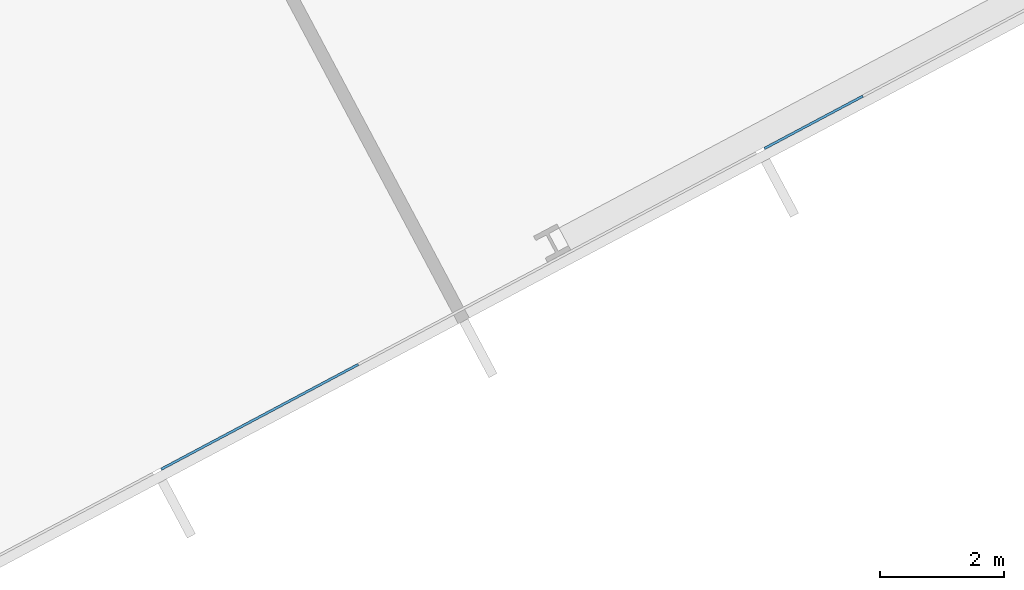
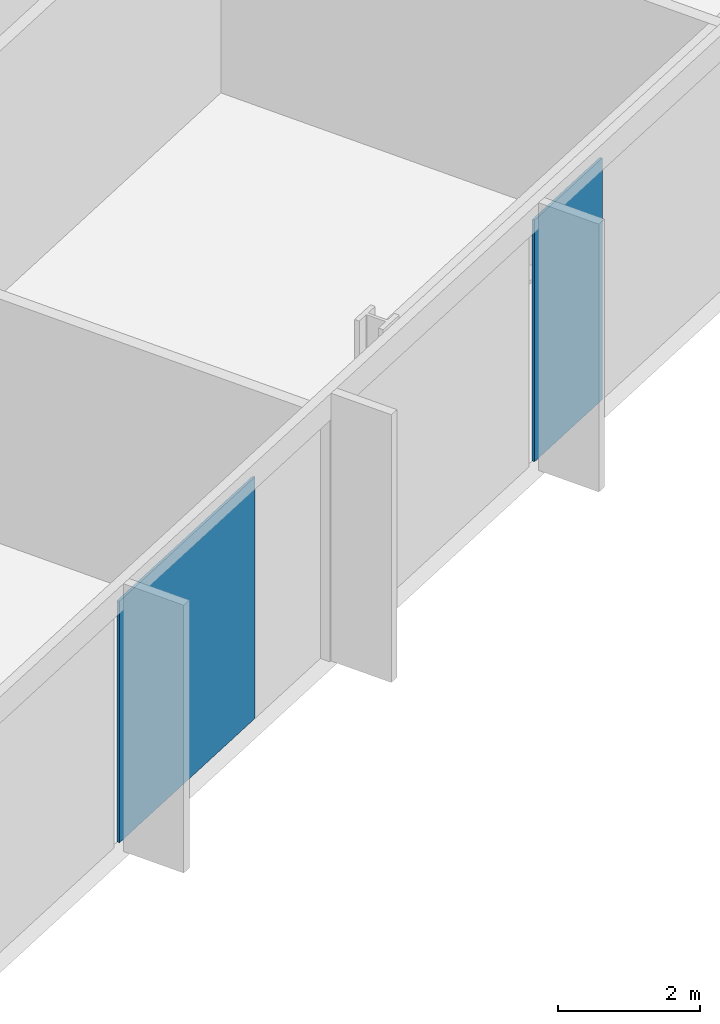
# One storey, part 11 of 32: 2 plates, 1 element without a shape of its own.
"""IFC4 building model written with IfcOpenShell, lengths in metres."""

from ifc_helpers import new_model, si_unit, direction, frame, origin, origin_2d, place, context, subcontext, project, spatial, rectangle, extrude, material, layer, layer_set, type_object, element, aggregate, save


model = new_model("IFC4")

# Units and contexts
model_context = context("Model", 3, precision=1e-05, world=origin(), true_north=direction((0.0, 1.0)))
body_context = subcontext(model_context, "Body", "Model", "MODEL_VIEW")
ifc_project = project(units=[si_unit("LENGTHUNIT", "METRE"), si_unit("AREAUNIT", "SQUARE_METRE"), si_unit("VOLUMEUNIT", "CUBIC_METRE"), si_unit("PLANEANGLEUNIT", "RADIAN"), si_unit("MASSUNIT", "GRAM", prefix="KILO")], contexts=[model_context])

# Site, building, storey
site_placement = place(None, origin())
site = spatial("IfcSite", under=ifc_project, at=site_placement, CompositionType="ELEMENT")
building_placement = place(site_placement, origin())
building = spatial("IfcBuilding", under=site, at=building_placement, Name="Cormorant Relay Tower", CompositionType="ELEMENT")
storey_placement = place(building_placement, frame((0.0, 0.0, 75.39990234375)))
storey = spatial("IfcBuildingStorey", under=building, at=storey_placement, Name="L14", CompositionType="ELEMENT", Elevation=75.39990234375)

# Curtain wall, plates
ifc_material_1 = material(Name="Aluminium 6063-T6 anodised bronze", Category="aluminium")
ifc_layer_1 = layer(ifc_material_1, 0.199951171875)
ifc_layer_set_1 = layer_set([ifc_layer_1], Name="CW1 unitised bronze curtain wall with vertical fins")
curtain_wall_type = type_object("IfcCurtainWallType", Name="CW1 unitised bronze curtain wall with vertical fins", PredefinedType="NOTDEFINED", material=ifc_layer_set_1)
curtain_wall_placement = place(storey_placement, origin())
curtain_wall = element("IfcCurtainWall", 1, at=curtain_wall_placement, inside=storey, type_object=curtain_wall_type, Name="CW1 curtain wall 2", PredefinedType="NOTDEFINED")
ifc_material_2 = material(Name="Tinted laminated glass", Category="glass")
ifc_layer_2 = layer(ifc_material_2, 0.0400390625)
ifc_layer_set_2 = layer_set([ifc_layer_2], Name="CW1 tinted vision panel 1800 module")
plate_type_1 = type_object("IfcPlateType", Name="CW1 tinted vision panel 1800 module", PredefinedType="CURTAIN_PANEL", material=ifc_layer_set_2)
plate_1_placement = place(storey_placement, frame((57.052490234375, 6.52880859375, 0.000244140625), z_axis=(0.0, 0.0, 1.0), x_axis=(0.882947592859, 0.469471562786, 0.0)))
plate_1 = element("IfcPlate", 2, at=plate_1_placement, type_object=plate_type_1, Name="CW1 panel V12", PredefinedType="CURTAIN_PANEL", context=body_context, shape_type="SweptSolid", body=[
    extrude(rectangle(XDim=1.800048828125, YDim=0.0400390625, at=origin_2d()), origin(), (0.0, 0.0, 1.0), 4.14990234375),
])
ifc_material_3 = material(Name="Tinted laminated glass", Category="glass")
ifc_layer_3 = layer(ifc_material_3, 0.0400390625)
ifc_layer_set_3 = layer_set([ifc_layer_3], Name="CW1 tinted vision panel 3600 module")
plate_type_2 = type_object("IfcPlateType", Name="CW1 tinted vision panel 3600 module", PredefinedType="CURTAIN_PANEL", material=ifc_layer_set_3)
plate_2_placement = place(storey_placement, frame((48.11376953125, 1.77587890625, 0.000244140625), z_axis=(0.0, 0.0, 1.0), x_axis=(0.882947592859, 0.469471562786, 0.0)))
plate_2 = element("IfcPlate", 3, at=plate_2_placement, type_object=plate_type_2, Name="CW1 panel V10", PredefinedType="CURTAIN_PANEL", context=body_context, shape_type="SweptSolid", body=[
    extrude(rectangle(XDim=3.60009765625, YDim=0.0400390625, at=origin_2d()), origin(), (0.0, 0.0, 1.0), 4.14990234375),
])
aggregate(curtain_wall, [plate_2, plate_1])

save(model, "model.ifc")
